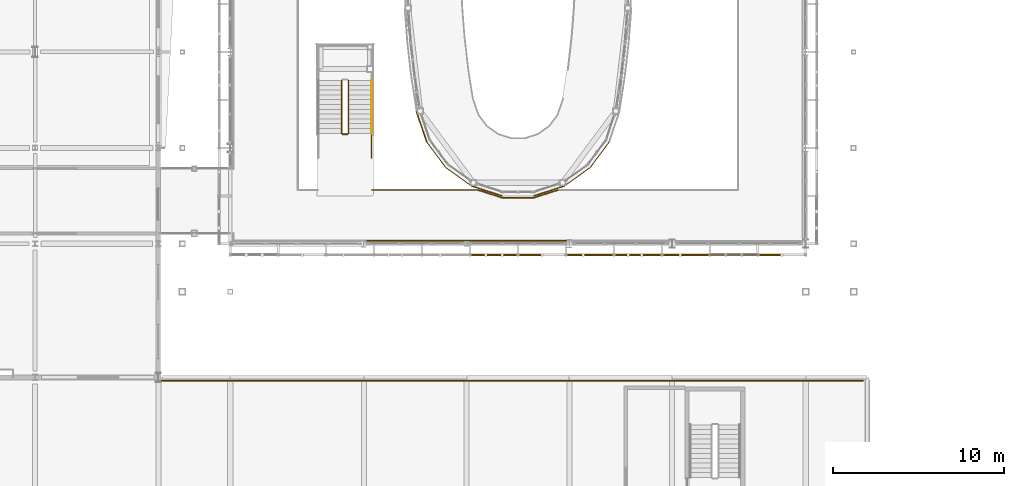
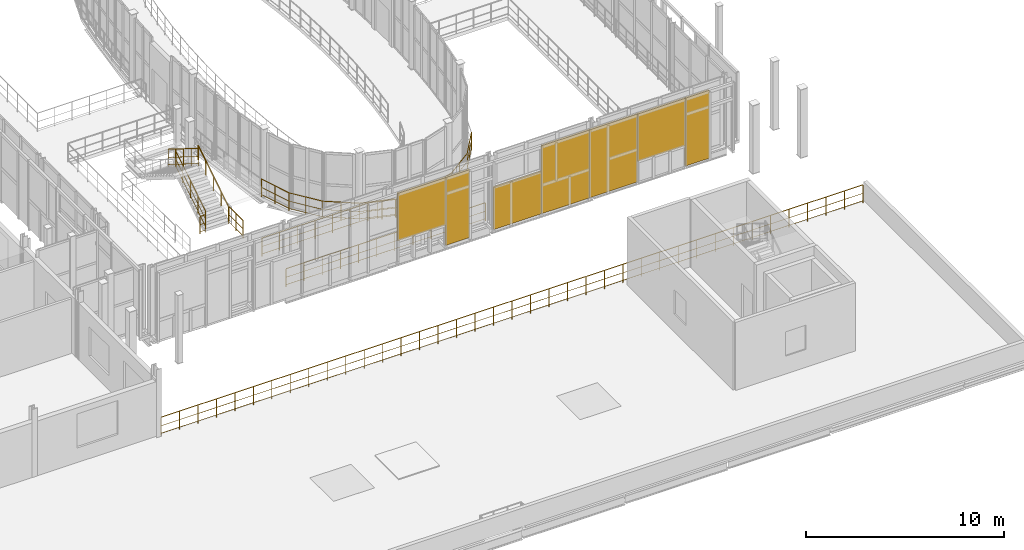
# One storey, part 130 of 138: 15 railings, 7 shading devices.
"""IFC4 building model written with IfcOpenShell, lengths in metres."""

from ifc_helpers import new_model, si_unit, direction, frame, origin, origin_2d, place, context, subcontext, project, spatial, rectangle, circle, extrude, material, type_object, element, save


model = new_model("IFC4")

# Units and contexts
model_context = context("Model", 3, precision=1e-05, world=origin(), true_north=direction((0.0, 1.0)))
body_context = subcontext(model_context, "Body", "Model", "MODEL_VIEW")
ifc_project = project(units=[si_unit("LENGTHUNIT", "METRE"), si_unit("AREAUNIT", "SQUARE_METRE"), si_unit("VOLUMEUNIT", "CUBIC_METRE"), si_unit("PLANEANGLEUNIT", "RADIAN"), si_unit("MASSUNIT", "GRAM", prefix="KILO")], contexts=[model_context])

# Site, building, storey
site_placement = place(None, origin())
site = spatial("IfcSite", under=ifc_project, at=site_placement, CompositionType="ELEMENT")
building_placement = place(site_placement, origin())
building = spatial("IfcBuilding", under=site, at=building_placement, Name="Vinh Khe Railworks Police Headquarters", CompositionType="ELEMENT")
storey_placement = place(building_placement, frame((0.0, 0.0, 9.0)))
storey = spatial("IfcBuildingStorey", under=building, at=storey_placement, Name="L02", CompositionType="ELEMENT", Elevation=9.0)

# Railings
ifc_material_1 = material(Name="Dark steel and laminated safety glass", Category="steel")
railing_type_1 = type_object("IfcRailingType", Name="RL-ATRIUM-1150", PredefinedType="BALUSTRADE", material=ifc_material_1)
railing_1_placement = place(storey_placement, frame((33.300048828125, 31.64990234375, 0.175048828125)))
element("IfcRailing", 1, at=railing_1_placement, inside=storey, type_object=railing_type_1, Name="L02 ST-08 stair guard 1", PredefinedType="BALUSTRADE", context=body_context, shape_type="SweptSolid", body=[
    extrude(circle(Radius=0.02392578125, at=origin_2d()), frame((0.0, 0.0, 1.076171875), z_axis=(0.0, 0.847998304005, 0.529998940003), x_axis=(-1.0, 0.0, 0.0)), (0.0, 0.0, 1.0), 3.632080078125),
    extrude(circle(Radius=0.01416015625, at=origin_2d()), frame((0.0, 0.0, 0.132080078125), z_axis=(0.0, 0.847998304005, 0.529998940003), x_axis=(-1.0, 0.0, 0.0)), (0.0, 0.0, 1.0), 3.632080078125),
    extrude(circle(Radius=0.01416015625, at=origin_2d()), frame((0.0, 0.0, 0.572021484375), z_axis=(0.0, 0.847998304005, 0.529998940003), x_axis=(-1.0, 0.0, 0.0)), (0.0, 0.0, 1.0), 3.632080078125),
    extrude(circle(Radius=0.02099609375, at=origin_2d()), origin(), (0.0, 0.0, 1.0), 1.052001953125),
    extrude(circle(Radius=0.02099609375, at=origin_2d()), frame((0.0, 0.77001953125, 0.481201171875)), (0.0, 0.0, 1.0), 1.052001953125),
    extrude(circle(Radius=0.02099609375, at=origin_2d()), frame((0.0, 1.5400390625, 0.96240234375)), (0.0, 0.0, 1.0), 1.052001953125),
    extrude(circle(Radius=0.02099609375, at=origin_2d()), frame((0.0, 2.31005859375, 1.44384765625)), (0.0, 0.0, 1.0), 1.052001953125),
    extrude(circle(Radius=0.02099609375, at=origin_2d()), frame((0.0, 3.080078125, 1.925048828125)), (0.0, 0.0, 1.0), 1.052001953125),
])
railing_2_placement = place(storey_placement, frame((32.89990234375, 34.72998046875, 2.27490234375)))
element("IfcRailing", 2, at=railing_2_placement, inside=storey, type_object=railing_type_1, Name="L02 ST-08 stair guard 6", PredefinedType="BALUSTRADE", context=body_context, shape_type="SweptSolid", body=[
    extrude(circle(Radius=0.02392578125, at=origin_2d()), frame((0.0, 0.0, 1.076171875), z_axis=(0.0, -0.847998304005, 0.529998940003), x_axis=(1.0, 0.0, 0.0)), (0.0, 0.0, 1.0), 3.632080078125),
    extrude(circle(Radius=0.01416015625, at=origin_2d()), frame((0.0, 0.0, 0.132080078125), z_axis=(0.0, -0.847998304005, 0.529998940003), x_axis=(1.0, 0.0, 0.0)), (0.0, 0.0, 1.0), 3.632080078125),
    extrude(circle(Radius=0.01416015625, at=origin_2d()), frame((0.0, 0.0, 0.572021484375), z_axis=(0.0, -0.847998304005, 0.529998940003), x_axis=(1.0, 0.0, 0.0)), (0.0, 0.0, 1.0), 3.632080078125),
    extrude(circle(Radius=0.02099609375, at=origin_2d()), origin(), (0.0, 0.0, 1.0), 1.052001953125),
    extrude(circle(Radius=0.02099609375, at=origin_2d()), frame((0.0, -0.77001953125, 0.481201171875)), (0.0, 0.0, 1.0), 1.052001953125),
    extrude(circle(Radius=0.02099609375, at=origin_2d()), frame((0.0, -1.5400390625, 0.96240234375)), (0.0, 0.0, 1.0), 1.052001953125),
    extrude(circle(Radius=0.02099609375, at=origin_2d()), frame((0.0, -2.31005859375, 1.44384765625)), (0.0, 0.0, 1.0), 1.052001953125),
    extrude(circle(Radius=0.02099609375, at=origin_2d()), frame((0.0, -3.080078125, 1.925048828125)), (0.0, 0.0, 1.0), 1.052001953125),
])
railing_3_placement = place(storey_placement, frame((33.25, 31.60009765625, 0.0)))
element("IfcRailing", 3, at=railing_3_placement, inside=storey, type_object=railing_type_1, Name="L02 ST-08 stair guard 7", PredefinedType="BALUSTRADE", context=body_context, shape_type="SweptSolid", body=[
    extrude(circle(Radius=0.02392578125, at=origin_2d()), frame((0.0, 0.0, 1.076171875), z_axis=(-1.0, 0.0, 0.0), x_axis=(0.0, -1.0, 0.0)), (0.0, 0.0, 1.0), 0.300048828125),
    extrude(circle(Radius=0.01416015625, at=origin_2d()), frame((0.0, 0.0, 0.132080078125), z_axis=(-1.0, 0.0, 0.0), x_axis=(0.0, -1.0, 0.0)), (0.0, 0.0, 1.0), 0.300048828125),
    extrude(circle(Radius=0.01416015625, at=origin_2d()), frame((0.0, 0.0, 0.572021484375), z_axis=(-1.0, 0.0, 0.0), x_axis=(0.0, -1.0, 0.0)), (0.0, 0.0, 1.0), 0.300048828125),
    extrude(circle(Radius=0.02099609375, at=origin_2d()), origin(), (0.0, 0.0, 1.0), 1.052001953125),
    extrude(circle(Radius=0.02099609375, at=origin_2d()), frame((-0.300048828125, 0.0, 0.0)), (0.0, 0.0, 1.0), 1.052001953125),
])
railing_4_placement = place(storey_placement, frame((34.64990234375, 30.199951171875, 0.0)))
element("IfcRailing", 4, at=railing_4_placement, inside=storey, type_object=railing_type_1, Name="L02 ST-08 stair guard 8", PredefinedType="BALUSTRADE", context=body_context, shape_type="SweptSolid", body=[
    extrude(circle(Radius=0.02392578125, at=origin_2d()), frame((0.0, 0.0, 1.076171875), z_axis=(0.0, 1.0, 0.0), x_axis=(-1.0, 0.0, 0.0)), (0.0, 0.0, 1.0), 1.449951171875),
    extrude(circle(Radius=0.01416015625, at=origin_2d()), frame((0.0, 0.0, 0.132080078125), z_axis=(0.0, 1.0, 0.0), x_axis=(-1.0, 0.0, 0.0)), (0.0, 0.0, 1.0), 1.449951171875),
    extrude(circle(Radius=0.01416015625, at=origin_2d()), frame((0.0, 0.0, 0.572021484375), z_axis=(0.0, 1.0, 0.0), x_axis=(-1.0, 0.0, 0.0)), (0.0, 0.0, 1.0), 1.449951171875),
    extrude(circle(Radius=0.02099609375, at=origin_2d()), origin(), (0.0, 0.0, 1.0), 1.052001953125),
    extrude(circle(Radius=0.02099609375, at=origin_2d()), frame((0.0, 0.72509765625, 0.0)), (0.0, 0.0, 1.0), 1.052001953125),
    extrude(circle(Radius=0.02099609375, at=origin_2d()), frame((0.0, 1.449951171875, 0.0)), (0.0, 0.0, 1.0), 1.052001953125),
])
railing_5_placement = place(storey_placement, frame((45.53564453125, 28.340087890625, 0.0)))
element("IfcRailing", 5, at=railing_5_placement, inside=storey, type_object=railing_type_1, Name="Atrium Balustrade GR-V1HOLE-L02-1-01", PredefinedType="BALUSTRADE", context=body_context, shape_type="SweptSolid", body=[
    extrude(circle(Radius=0.02392578125, at=origin_2d()), frame((0.0, 0.0, 1.1259765625), z_axis=(-0.952124322128, -0.305711097627, 0.0), x_axis=(0.305711097627, -0.952124322128, 0.0)), (0.0, 0.0, 1.0), 1.458251953125),
    extrude(circle(Radius=0.01416015625, at=origin_2d()), frame((0.0, 0.0, 0.137939453125), z_axis=(-0.952124322128, -0.305711097627, 0.0), x_axis=(0.305711097627, -0.952124322128, 0.0)), (0.0, 0.0, 1.0), 1.458251953125),
    extrude(circle(Radius=0.01416015625, at=origin_2d()), frame((0.0, 0.0, 0.597900390625), z_axis=(-0.952124322128, -0.305711097627, 0.0), x_axis=(0.305711097627, -0.952124322128, 0.0)), (0.0, 0.0, 1.0), 1.458251953125),
    extrude(circle(Radius=0.02392578125, at=origin_2d()), frame((-1.388427734375, -0.44580078125, 1.1259765625), z_axis=(-1.0, 0.0, 0.0), x_axis=(0.0, -1.0, 0.0)), (0.0, 0.0, 1.0), 1.894287109375),
    extrude(circle(Radius=0.01416015625, at=origin_2d()), frame((-1.388427734375, -0.44580078125, 0.137939453125), z_axis=(-1.0, 0.0, 0.0), x_axis=(0.0, -1.0, 0.0)), (0.0, 0.0, 1.0), 1.894287109375),
    extrude(circle(Radius=0.01416015625, at=origin_2d()), frame((-1.388427734375, -0.44580078125, 0.597900390625), z_axis=(-1.0, 0.0, 0.0), x_axis=(0.0, -1.0, 0.0)), (0.0, 0.0, 1.0), 1.894287109375),
    extrude(circle(Radius=0.02392578125, at=origin_2d()), frame((-3.28271484375, -0.44580078125, 1.1259765625), z_axis=(-0.952139965451, 0.305662372875, 0.0), x_axis=(-0.305662372875, -0.952139965451, 0.0)), (0.0, 0.0, 1.0), 1.45849609375),
    extrude(circle(Radius=0.01416015625, at=origin_2d()), frame((-3.28271484375, -0.44580078125, 0.137939453125), z_axis=(-0.952139965451, 0.305662372875, 0.0), x_axis=(-0.305662372875, -0.952139965451, 0.0)), (0.0, 0.0, 1.0), 1.45849609375),
    extrude(circle(Radius=0.01416015625, at=origin_2d()), frame((-3.28271484375, -0.44580078125, 0.597900390625), z_axis=(-0.952139965451, 0.305662372875, 0.0), x_axis=(-0.305662372875, -0.952139965451, 0.0)), (0.0, 0.0, 1.0), 1.45849609375),
    extrude(circle(Radius=0.02392578125, at=origin_2d()), frame((-4.67138671875, 0.0, 1.1259765625), z_axis=(-1.0, 0.0, 0.0), x_axis=(0.0, -1.0, 0.0)), (0.0, 0.0, 1.0), 6.184326171875),
    extrude(circle(Radius=0.01416015625, at=origin_2d()), frame((-4.67138671875, 0.0, 0.137939453125), z_axis=(-1.0, 0.0, 0.0), x_axis=(0.0, -1.0, 0.0)), (0.0, 0.0, 1.0), 6.184326171875),
    extrude(circle(Radius=0.01416015625, at=origin_2d()), frame((-4.67138671875, 0.0, 0.597900390625), z_axis=(-1.0, 0.0, 0.0), x_axis=(0.0, -1.0, 0.0)), (0.0, 0.0, 1.0), 6.184326171875),
    extrude(circle(Radius=0.02099609375, at=origin_2d()), origin(), (0.0, 0.0, 1.0), 1.101806640625),
    extrude(circle(Radius=0.02099609375, at=origin_2d()), frame((-0.6943359375, -0.222900390625, 0.0)), (0.0, 0.0, 1.0), 1.101806640625),
    extrude(circle(Radius=0.02099609375, at=origin_2d()), frame((-1.388427734375, -0.44580078125, 0.0)), (0.0, 0.0, 1.0), 1.101806640625),
    extrude(circle(Radius=0.02099609375, at=origin_2d()), frame((-2.33544921875, -0.44580078125, 0.0)), (0.0, 0.0, 1.0), 1.101806640625),
    extrude(circle(Radius=0.02099609375, at=origin_2d()), frame((-3.28271484375, -0.44580078125, 0.0)), (0.0, 0.0, 1.0), 1.101806640625),
    extrude(circle(Radius=0.02099609375, at=origin_2d()), frame((-3.97705078125, -0.222900390625, 0.0)), (0.0, 0.0, 1.0), 1.101806640625),
    extrude(circle(Radius=0.02099609375, at=origin_2d()), frame((-4.67138671875, 0.0, 0.0)), (0.0, 0.0, 1.0), 1.101806640625),
    extrude(circle(Radius=0.02099609375, at=origin_2d()), frame((-5.7021484375, 0.0, 0.0)), (0.0, 0.0, 1.0), 1.101806640625),
    extrude(circle(Radius=0.02099609375, at=origin_2d()), frame((-6.73291015625, 0.0, 0.0)), (0.0, 0.0, 1.0), 1.101806640625),
    extrude(circle(Radius=0.02099609375, at=origin_2d()), frame((-7.763671875, 0.0, 0.0)), (0.0, 0.0, 1.0), 1.101806640625),
    extrude(circle(Radius=0.02099609375, at=origin_2d()), frame((-8.794189453125, 0.0, 0.0)), (0.0, 0.0, 1.0), 1.101806640625),
    extrude(circle(Radius=0.02099609375, at=origin_2d()), frame((-9.824951171875, 0.0, 0.0)), (0.0, 0.0, 1.0), 1.101806640625),
    extrude(circle(Radius=0.02099609375, at=origin_2d()), frame((-10.855712890625, 0.0, 0.0)), (0.0, 0.0, 1.0), 1.101806640625),
])
railing_6_placement = place(storey_placement, frame((34.375, 25.3798828125, 0.0)))
element("IfcRailing", 6, at=railing_6_placement, inside=storey, type_object=railing_type_1, Name="Atrium Balustrade GR-V1PERIM-L02-02", PredefinedType="BALUSTRADE", context=body_context, shape_type="SweptSolid", body=[
    extrude(circle(Radius=0.02392578125, at=origin_2d()), frame((0.0, 0.0, 1.1259765625), z_axis=(1.0, 0.0, 0.0), x_axis=(0.0, 1.0, 0.0)), (0.0, 0.0, 1.0), 11.64990234375),
    extrude(circle(Radius=0.01416015625, at=origin_2d()), frame((0.0, 0.0, 0.137939453125), z_axis=(1.0, 0.0, 0.0), x_axis=(0.0, 1.0, 0.0)), (0.0, 0.0, 1.0), 11.64990234375),
    extrude(circle(Radius=0.01416015625, at=origin_2d()), frame((0.0, 0.0, 0.597900390625), z_axis=(1.0, 0.0, 0.0), x_axis=(0.0, 1.0, 0.0)), (0.0, 0.0, 1.0), 11.64990234375),
    extrude(circle(Radius=0.02099609375, at=origin_2d()), origin(), (0.0, 0.0, 1.0), 1.101806640625),
    extrude(circle(Radius=0.02099609375, at=origin_2d()), frame((1.05908203125, 0.0, 0.0)), (0.0, 0.0, 1.0), 1.101806640625),
    extrude(circle(Radius=0.02099609375, at=origin_2d()), frame((2.1181640625, 0.0, 0.0)), (0.0, 0.0, 1.0), 1.101806640625),
    extrude(circle(Radius=0.02099609375, at=origin_2d()), frame((3.17724609375, 0.0, 0.0)), (0.0, 0.0, 1.0), 1.101806640625),
    extrude(circle(Radius=0.02099609375, at=origin_2d()), frame((4.236328125, 0.0, 0.0)), (0.0, 0.0, 1.0), 1.101806640625),
    extrude(circle(Radius=0.02099609375, at=origin_2d()), frame((5.29541015625, 0.0, 0.0)), (0.0, 0.0, 1.0), 1.101806640625),
    extrude(circle(Radius=0.02099609375, at=origin_2d()), frame((6.3544921875, 0.0, 0.0)), (0.0, 0.0, 1.0), 1.101806640625),
    extrude(circle(Radius=0.02099609375, at=origin_2d()), frame((7.41357421875, 0.0, 0.0)), (0.0, 0.0, 1.0), 1.101806640625),
    extrude(circle(Radius=0.02099609375, at=origin_2d()), frame((8.47265625, 0.0, 0.0)), (0.0, 0.0, 1.0), 1.101806640625),
    extrude(circle(Radius=0.02099609375, at=origin_2d()), frame((9.53173828125, 0.0, 0.0)), (0.0, 0.0, 1.0), 1.101806640625),
    extrude(circle(Radius=0.02099609375, at=origin_2d()), frame((10.5908203125, 0.0, 0.0)), (0.0, 0.0, 1.0), 1.101806640625),
    extrude(circle(Radius=0.02099609375, at=origin_2d()), frame((11.64990234375, 0.0, 0.0)), (0.0, 0.0, 1.0), 1.101806640625),
])
railing_7_placement = place(storey_placement, frame((22.35009765625, 17.199951171875, 0.0)))
element("IfcRailing", 7, at=railing_7_placement, inside=storey, type_object=railing_type_1, Name="Atrium and Terrace Guard Balustrade GR-V4-L02-TERR", PredefinedType="BALUSTRADE", context=body_context, shape_type="SweptSolid", body=[
    extrude(circle(Radius=0.02392578125, at=origin_2d()), frame((0.0, 0.0, 1.1259765625), z_axis=(1.0, 0.0, 0.0), x_axis=(0.0, 1.0, 0.0)), (0.0, 0.0, 1.0), 41.0),
    extrude(circle(Radius=0.01416015625, at=origin_2d()), frame((0.0, 0.0, 0.137939453125), z_axis=(1.0, 0.0, 0.0), x_axis=(0.0, 1.0, 0.0)), (0.0, 0.0, 1.0), 41.0),
    extrude(circle(Radius=0.01416015625, at=origin_2d()), frame((0.0, 0.0, 0.597900390625), z_axis=(1.0, 0.0, 0.0), x_axis=(0.0, 1.0, 0.0)), (0.0, 0.0, 1.0), 41.0),
    extrude(circle(Radius=0.02099609375, at=origin_2d()), origin(), (0.0, 0.0, 1.0), 1.101806640625),
    extrude(circle(Radius=0.02099609375, at=origin_2d()), frame((1.078857421875, 0.0, 0.0)), (0.0, 0.0, 1.0), 1.101806640625),
    extrude(circle(Radius=0.02099609375, at=origin_2d()), frame((2.157958984375, 0.0, 0.0)), (0.0, 0.0, 1.0), 1.101806640625),
    extrude(circle(Radius=0.02099609375, at=origin_2d()), frame((3.23681640625, 0.0, 0.0)), (0.0, 0.0, 1.0), 1.101806640625),
    extrude(circle(Radius=0.02099609375, at=origin_2d()), frame((4.315673828125, 0.0, 0.0)), (0.0, 0.0, 1.0), 1.101806640625),
    extrude(circle(Radius=0.02099609375, at=origin_2d()), frame((5.394775390625, 0.0, 0.0)), (0.0, 0.0, 1.0), 1.101806640625),
    extrude(circle(Radius=0.02099609375, at=origin_2d()), frame((6.4736328125, 0.0, 0.0)), (0.0, 0.0, 1.0), 1.101806640625),
    extrude(circle(Radius=0.02099609375, at=origin_2d()), frame((7.552734375, 0.0, 0.0)), (0.0, 0.0, 1.0), 1.101806640625),
    extrude(circle(Radius=0.02099609375, at=origin_2d()), frame((8.631591796875, 0.0, 0.0)), (0.0, 0.0, 1.0), 1.101806640625),
    extrude(circle(Radius=0.02099609375, at=origin_2d()), frame((9.71044921875, 0.0, 0.0)), (0.0, 0.0, 1.0), 1.101806640625),
    extrude(circle(Radius=0.02099609375, at=origin_2d()), frame((10.78955078125, 0.0, 0.0)), (0.0, 0.0, 1.0), 1.101806640625),
    extrude(circle(Radius=0.02099609375, at=origin_2d()), frame((11.868408203125, 0.0, 0.0)), (0.0, 0.0, 1.0), 1.101806640625),
    extrude(circle(Radius=0.02099609375, at=origin_2d()), frame((12.947265625, 0.0, 0.0)), (0.0, 0.0, 1.0), 1.101806640625),
    extrude(circle(Radius=0.02099609375, at=origin_2d()), frame((14.0263671875, 0.0, 0.0)), (0.0, 0.0, 1.0), 1.101806640625),
    extrude(circle(Radius=0.02099609375, at=origin_2d()), frame((15.105224609375, 0.0, 0.0)), (0.0, 0.0, 1.0), 1.101806640625),
    extrude(circle(Radius=0.02099609375, at=origin_2d()), frame((16.184326171875, 0.0, 0.0)), (0.0, 0.0, 1.0), 1.101806640625),
    extrude(circle(Radius=0.02099609375, at=origin_2d()), frame((17.26318359375, 0.0, 0.0)), (0.0, 0.0, 1.0), 1.101806640625),
    extrude(circle(Radius=0.02099609375, at=origin_2d()), frame((18.342041015625, 0.0, 0.0)), (0.0, 0.0, 1.0), 1.101806640625),
    extrude(circle(Radius=0.02099609375, at=origin_2d()), frame((19.421142578125, 0.0, 0.0)), (0.0, 0.0, 1.0), 1.101806640625),
    extrude(circle(Radius=0.02099609375, at=origin_2d()), frame((20.5, 0.0, 0.0)), (0.0, 0.0, 1.0), 1.101806640625),
    extrude(circle(Radius=0.02099609375, at=origin_2d()), frame((21.578857421875, 0.0, 0.0)), (0.0, 0.0, 1.0), 1.101806640625),
    extrude(circle(Radius=0.02099609375, at=origin_2d()), frame((22.657958984375, 0.0, 0.0)), (0.0, 0.0, 1.0), 1.101806640625),
    extrude(circle(Radius=0.02099609375, at=origin_2d()), frame((23.73681640625, 0.0, 0.0)), (0.0, 0.0, 1.0), 1.101806640625),
    extrude(circle(Radius=0.02099609375, at=origin_2d()), frame((24.815673828125, 0.0, 0.0)), (0.0, 0.0, 1.0), 1.101806640625),
    extrude(circle(Radius=0.02099609375, at=origin_2d()), frame((25.894775390625, 0.0, 0.0)), (0.0, 0.0, 1.0), 1.101806640625),
    extrude(circle(Radius=0.02099609375, at=origin_2d()), frame((26.9736328125, 0.0, 0.0)), (0.0, 0.0, 1.0), 1.101806640625),
    extrude(circle(Radius=0.02099609375, at=origin_2d()), frame((28.052734375, 0.0, 0.0)), (0.0, 0.0, 1.0), 1.101806640625),
    extrude(circle(Radius=0.02099609375, at=origin_2d()), frame((29.131591796875, 0.0, 0.0)), (0.0, 0.0, 1.0), 1.101806640625),
    extrude(circle(Radius=0.02099609375, at=origin_2d()), frame((30.21044921875, 0.0, 0.0)), (0.0, 0.0, 1.0), 1.101806640625),
    extrude(circle(Radius=0.02099609375, at=origin_2d()), frame((31.28955078125, 0.0, 0.0)), (0.0, 0.0, 1.0), 1.101806640625),
    extrude(circle(Radius=0.02099609375, at=origin_2d()), frame((32.368408203125, 0.0, 0.0)), (0.0, 0.0, 1.0), 1.101806640625),
    extrude(circle(Radius=0.02099609375, at=origin_2d()), frame((33.447265625, 0.0, 0.0)), (0.0, 0.0, 1.0), 1.101806640625),
    extrude(circle(Radius=0.02099609375, at=origin_2d()), frame((34.5263671875, 0.0, 0.0)), (0.0, 0.0, 1.0), 1.101806640625),
    extrude(circle(Radius=0.02099609375, at=origin_2d()), frame((35.605224609375, 0.0, 0.0)), (0.0, 0.0, 1.0), 1.101806640625),
    extrude(circle(Radius=0.02099609375, at=origin_2d()), frame((36.684326171875, 0.0, 0.0)), (0.0, 0.0, 1.0), 1.101806640625),
    extrude(circle(Radius=0.02099609375, at=origin_2d()), frame((37.76318359375, 0.0, 0.0)), (0.0, 0.0, 1.0), 1.101806640625),
    extrude(circle(Radius=0.02099609375, at=origin_2d()), frame((38.842041015625, 0.0, 0.0)), (0.0, 0.0, 1.0), 1.101806640625),
    extrude(circle(Radius=0.02099609375, at=origin_2d()), frame((39.921142578125, 0.0, 0.0)), (0.0, 0.0, 1.0), 1.101806640625),
    extrude(circle(Radius=0.02099609375, at=origin_2d()), frame((41.0, 0.0, 0.0)), (0.0, 0.0, 1.0), 1.101806640625),
])
ifc_material_2 = material(Name="Painted tubular steel", Category="steel")
railing_type_2 = type_object("IfcRailingType", Name="RL-GUARD-1100", PredefinedType="GUARDRAIL", material=ifc_material_2)
railing_8_placement = place(storey_placement, frame((37.2724609375, 32.891357421875, 0.0)))
element("IfcRailing", 8, at=railing_8_placement, inside=storey, type_object=railing_type_2, Name="Slab Corner Notch Guard L02-76", PredefinedType="GUARDRAIL", context=body_context, shape_type="SweptSolid", body=[
    extrude(circle(Radius=0.02392578125, at=origin_2d()), frame((0.0, 0.0, 1.09619140625), z_axis=(0.322800371267, -0.946467073019, 0.0), x_axis=(0.946467073019, 0.322800371267, 0.0)), (0.0, 0.0, 1.0), 1.84765625),
    extrude(circle(Radius=0.01416015625, at=origin_2d()), frame((0.0, 0.0, 0.134521484375), z_axis=(0.322800371267, -0.946467073019, 0.0), x_axis=(0.946467073019, 0.322800371267, 0.0)), (0.0, 0.0, 1.0), 1.84765625),
    extrude(circle(Radius=0.01416015625, at=origin_2d()), frame((0.0, 0.0, 0.58251953125), z_axis=(0.322800371267, -0.946467073019, 0.0), x_axis=(0.946467073019, 0.322800371267, 0.0)), (0.0, 0.0, 1.0), 1.84765625),
    extrude(circle(Radius=0.02099609375, at=origin_2d()), origin(), (0.0, 0.0, 1.0), 1.072021484375),
    extrude(circle(Radius=0.02099609375, at=origin_2d()), frame((0.29833984375, -0.87451171875, 0.0)), (0.0, 0.0, 1.0), 1.072021484375),
    extrude(circle(Radius=0.02099609375, at=origin_2d()), frame((0.596435546875, -1.748779296875, 0.0)), (0.0, 0.0, 1.0), 1.072021484375),
])
railing_9_placement = place(storey_placement, frame((37.868896484375, 31.142578125, 0.0)))
element("IfcRailing", 9, at=railing_9_placement, inside=storey, type_object=railing_type_2, Name="Slab Corner Notch Guard L02-77", PredefinedType="GUARDRAIL", context=body_context, shape_type="SweptSolid", body=[
    extrude(circle(Radius=0.02392578125, at=origin_2d()), frame((0.0, 0.0, 1.09619140625), z_axis=(0.596471188122, -0.802634488257, 0.0), x_axis=(0.802634488257, 0.596471188122, 0.0)), (0.0, 0.0, 1.0), 1.86279296875),
    extrude(circle(Radius=0.01416015625, at=origin_2d()), frame((0.0, 0.0, 0.134521484375), z_axis=(0.596471188122, -0.802634488257, 0.0), x_axis=(0.802634488257, 0.596471188122, 0.0)), (0.0, 0.0, 1.0), 1.86279296875),
    extrude(circle(Radius=0.01416015625, at=origin_2d()), frame((0.0, 0.0, 0.58251953125), z_axis=(0.596471188122, -0.802634488257, 0.0), x_axis=(0.802634488257, 0.596471188122, 0.0)), (0.0, 0.0, 1.0), 1.86279296875),
    extrude(circle(Radius=0.02099609375, at=origin_2d()), origin(), (0.0, 0.0, 1.0), 1.072021484375),
    extrude(circle(Radius=0.02099609375, at=origin_2d()), frame((0.5556640625, -0.74755859375, 0.0)), (0.0, 0.0, 1.0), 1.072021484375),
    extrude(circle(Radius=0.02099609375, at=origin_2d()), frame((1.111083984375, -1.4951171875, 0.0)), (0.0, 0.0, 1.0), 1.072021484375),
])
railing_10_placement = place(storey_placement, frame((38.97998046875, 29.6474609375, 0.0)))
element("IfcRailing", 10, at=railing_10_placement, inside=storey, type_object=railing_type_2, Name="Slab Corner Notch Guard L02-78", PredefinedType="GUARDRAIL", context=body_context, shape_type="SweptSolid", body=[
    extrude(circle(Radius=0.02392578125, at=origin_2d()), frame((0.0, 0.0, 1.09619140625), z_axis=(0.813308151852, -0.581833180672, 0.0), x_axis=(0.581833180672, 0.813308151852, 0.0)), (0.0, 0.0, 1.0), 1.862548828125),
    extrude(circle(Radius=0.01416015625, at=origin_2d()), frame((0.0, 0.0, 0.134521484375), z_axis=(0.813308151852, -0.581833180672, 0.0), x_axis=(0.581833180672, 0.813308151852, 0.0)), (0.0, 0.0, 1.0), 1.862548828125),
    extrude(circle(Radius=0.01416015625, at=origin_2d()), frame((0.0, 0.0, 0.58251953125), z_axis=(0.813308151852, -0.581833180672, 0.0), x_axis=(0.581833180672, 0.813308151852, 0.0)), (0.0, 0.0, 1.0), 1.862548828125),
    extrude(circle(Radius=0.02099609375, at=origin_2d()), origin(), (0.0, 0.0, 1.0), 1.072021484375),
    extrude(circle(Radius=0.02099609375, at=origin_2d()), frame((0.75732421875, -0.5419921875, 0.0)), (0.0, 0.0, 1.0), 1.072021484375),
    extrude(circle(Radius=0.02099609375, at=origin_2d()), frame((1.514892578125, -1.083740234375, 0.0)), (0.0, 0.0, 1.0), 1.072021484375),
])
railing_11_placement = place(storey_placement, frame((40.494873046875, 28.563720703125, 0.0)))
element("IfcRailing", 11, at=railing_11_placement, inside=storey, type_object=railing_type_2, Name="Slab Corner Notch Guard L02-79", PredefinedType="GUARDRAIL", context=body_context, shape_type="SweptSolid", body=[
    extrude(circle(Radius=0.02392578125, at=origin_2d()), frame((0.0, 0.0, 1.09619140625), z_axis=(0.952149849354, -0.305631582752, 0.0), x_axis=(0.305631582752, 0.952149849354, 0.0)), (0.0, 0.0, 1.0), 1.86279296875),
    extrude(circle(Radius=0.01416015625, at=origin_2d()), frame((0.0, 0.0, 0.134521484375), z_axis=(0.952149849354, -0.305631582752, 0.0), x_axis=(0.305631582752, 0.952149849354, 0.0)), (0.0, 0.0, 1.0), 1.86279296875),
    extrude(circle(Radius=0.01416015625, at=origin_2d()), frame((0.0, 0.0, 0.58251953125), z_axis=(0.952149849354, -0.305631582752, 0.0), x_axis=(0.305631582752, 0.952149849354, 0.0)), (0.0, 0.0, 1.0), 1.86279296875),
    extrude(circle(Radius=0.02099609375, at=origin_2d()), origin(), (0.0, 0.0, 1.0), 1.072021484375),
    extrude(circle(Radius=0.02099609375, at=origin_2d()), frame((0.88671875, -0.28466796875, 0.0)), (0.0, 0.0, 1.0), 1.072021484375),
    extrude(circle(Radius=0.02099609375, at=origin_2d()), frame((1.773681640625, -0.5693359375, 0.0)), (0.0, 0.0, 1.0), 1.072021484375),
])
railing_12_placement = place(storey_placement, frame((44.13134765625, 27.994384765625, 0.0)))
element("IfcRailing", 12, at=railing_12_placement, inside=storey, type_object=railing_type_2, Name="Slab Corner Notch Guard L02-80", PredefinedType="GUARDRAIL", context=body_context, shape_type="SweptSolid", body=[
    extrude(circle(Radius=0.02392578125, at=origin_2d()), frame((0.0, 0.0, 1.09619140625), z_axis=(0.952149849354, 0.305631582752, 0.0), x_axis=(-0.305631582752, 0.952149849354, 0.0)), (0.0, 0.0, 1.0), 1.86279296875),
    extrude(circle(Radius=0.01416015625, at=origin_2d()), frame((0.0, 0.0, 0.134521484375), z_axis=(0.952149849354, 0.305631582752, 0.0), x_axis=(-0.305631582752, 0.952149849354, 0.0)), (0.0, 0.0, 1.0), 1.86279296875),
    extrude(circle(Radius=0.01416015625, at=origin_2d()), frame((0.0, 0.0, 0.58251953125), z_axis=(0.952149849354, 0.305631582752, 0.0), x_axis=(-0.305631582752, 0.952149849354, 0.0)), (0.0, 0.0, 1.0), 1.86279296875),
    extrude(circle(Radius=0.02099609375, at=origin_2d()), origin(), (0.0, 0.0, 1.0), 1.072021484375),
    extrude(circle(Radius=0.02099609375, at=origin_2d()), frame((0.88671875, 0.28466796875, 0.0)), (0.0, 0.0, 1.0), 1.072021484375),
    extrude(circle(Radius=0.02099609375, at=origin_2d()), frame((1.773681640625, 0.5693359375, 0.0)), (0.0, 0.0, 1.0), 1.072021484375),
])
railing_13_placement = place(storey_placement, frame((45.905029296875, 28.563720703125, 0.0)))
element("IfcRailing", 13, at=railing_13_placement, inside=storey, type_object=railing_type_2, Name="Slab Corner Notch Guard L02-81", PredefinedType="GUARDRAIL", context=body_context, shape_type="SweptSolid", body=[
    extrude(circle(Radius=0.02392578125, at=origin_2d()), frame((0.0, 0.0, 1.09619140625), z_axis=(0.813308151852, 0.581833180672, 0.0), x_axis=(-0.581833180672, 0.813308151852, 0.0)), (0.0, 0.0, 1.0), 1.862548828125),
    extrude(circle(Radius=0.01416015625, at=origin_2d()), frame((0.0, 0.0, 0.134521484375), z_axis=(0.813308151852, 0.581833180672, 0.0), x_axis=(-0.581833180672, 0.813308151852, 0.0)), (0.0, 0.0, 1.0), 1.862548828125),
    extrude(circle(Radius=0.01416015625, at=origin_2d()), frame((0.0, 0.0, 0.58251953125), z_axis=(0.813308151852, 0.581833180672, 0.0), x_axis=(-0.581833180672, 0.813308151852, 0.0)), (0.0, 0.0, 1.0), 1.862548828125),
    extrude(circle(Radius=0.02099609375, at=origin_2d()), origin(), (0.0, 0.0, 1.0), 1.072021484375),
    extrude(circle(Radius=0.02099609375, at=origin_2d()), frame((0.75732421875, 0.5419921875, 0.0)), (0.0, 0.0, 1.0), 1.072021484375),
    extrude(circle(Radius=0.02099609375, at=origin_2d()), frame((1.514892578125, 1.083740234375, 0.0)), (0.0, 0.0, 1.0), 1.072021484375),
])
railing_14_placement = place(storey_placement, frame((47.419921875, 29.6474609375, 0.0)))
element("IfcRailing", 14, at=railing_14_placement, inside=storey, type_object=railing_type_2, Name="Slab Corner Notch Guard L02-82", PredefinedType="GUARDRAIL", context=body_context, shape_type="SweptSolid", body=[
    extrude(circle(Radius=0.02392578125, at=origin_2d()), frame((0.0, 0.0, 1.09619140625), z_axis=(0.596555612397, 0.802571742162, 0.0), x_axis=(-0.802571742162, 0.596555612397, 0.0)), (0.0, 0.0, 1.0), 1.86279296875),
    extrude(circle(Radius=0.01416015625, at=origin_2d()), frame((0.0, 0.0, 0.134521484375), z_axis=(0.596555612397, 0.802571742162, 0.0), x_axis=(-0.802571742162, 0.596555612397, 0.0)), (0.0, 0.0, 1.0), 1.86279296875),
    extrude(circle(Radius=0.01416015625, at=origin_2d()), frame((0.0, 0.0, 0.58251953125), z_axis=(0.596555612397, 0.802571742162, 0.0), x_axis=(-0.802571742162, 0.596555612397, 0.0)), (0.0, 0.0, 1.0), 1.86279296875),
    extrude(circle(Radius=0.02099609375, at=origin_2d()), origin(), (0.0, 0.0, 1.0), 1.072021484375),
    extrude(circle(Radius=0.02099609375, at=origin_2d()), frame((0.5556640625, 0.74755859375, 0.0)), (0.0, 0.0, 1.0), 1.072021484375),
    extrude(circle(Radius=0.02099609375, at=origin_2d()), frame((1.111328125, 1.4951171875, 0.0)), (0.0, 0.0, 1.0), 1.072021484375),
])
ifc_material_3 = material(Name="Brushed stainless steel", Category="steel")
railing_type_3 = type_object("IfcRailingType", Name="RL-HAND-900", PredefinedType="HANDRAIL", material=ifc_material_3)
railing_15_placement = place(storey_placement, frame((34.64990234375, 31.64990234375, 0.175048828125)))
element("IfcRailing", 15, at=railing_15_placement, inside=storey, type_object=railing_type_3, Name="L02 ST-08 stair handrail 1", PredefinedType="HANDRAIL", context=body_context, shape_type="SweptSolid", body=[
    extrude(circle(Radius=0.02392578125, at=origin_2d()), frame((0.0, 0.0, 0.8759765625), z_axis=(0.0, 0.847998304005, 0.529998940003), x_axis=(-1.0, 0.0, 0.0)), (0.0, 0.0, 1.0), 3.632080078125),
    extrude(circle(Radius=0.02099609375, at=origin_2d()), origin(), (0.0, 0.0, 1.0), 0.851806640625),
    extrude(circle(Radius=0.02099609375, at=origin_2d()), frame((0.0, 0.77001953125, 0.481201171875)), (0.0, 0.0, 1.0), 0.851806640625),
    extrude(circle(Radius=0.02099609375, at=origin_2d()), frame((0.0, 1.5400390625, 0.96240234375)), (0.0, 0.0, 1.0), 0.851806640625),
    extrude(circle(Radius=0.02099609375, at=origin_2d()), frame((0.0, 2.31005859375, 1.44384765625)), (0.0, 0.0, 1.0), 0.851806640625),
    extrude(circle(Radius=0.02099609375, at=origin_2d()), frame((0.0, 3.080078125, 1.925048828125)), (0.0, 0.0, 1.0), 0.851806640625),
])

# Shading devices
ifc_material_4 = material(Name="Salvaged ironwood timber", Category="wood")
shading_device_type_1 = type_object("IfcShadingDeviceType", Name="SHD-QS-01", PredefinedType="JALOUSIE", material=ifc_material_4)
shading_device_1_placement = place(storey_placement, frame((41.800048828125, 24.550048828125, 1.260009765625), z_axis=(0.0, 0.0, 1.0), x_axis=(1.0, 0.0, 0.0)))
element("IfcShadingDevice", 16, at=shading_device_1_placement, inside=storey, type_object=shading_device_type_1, Name="Salvaged Ironwood Upper Quilt Frame S-6", PredefinedType="JALOUSIE", context=body_context, shape_type="SweptSolid", body=[
    extrude(rectangle(XDim=2.800048828125, YDim=0.090087890625, at=origin_2d()), origin(), (0.0, 0.0, 1.0), 2.93994140625),
])
shading_device_2_placement = place(storey_placement, frame((47.39990234375, 24.550048828125, 0.0), z_axis=(0.0, 0.0, 1.0), x_axis=(1.0, 0.0, 0.0)))
element("IfcShadingDevice", 17, at=shading_device_2_placement, inside=storey, type_object=shading_device_type_1, Name="Salvaged Ironwood Quilt Casement S-8", PredefinedType="JALOUSIE", context=body_context, shape_type="SweptSolid", body=[
    extrude(rectangle(XDim=2.800048828125, YDim=0.090087890625, at=origin_2d()), origin(), (0.0, 0.0, 1.0), 2.60400390625),
])
shading_device_3_placement = place(storey_placement, frame((55.800048828125, 24.550048828125, 1.260009765625), z_axis=(0.0, 0.0, 1.0), x_axis=(1.0, 0.0, 0.0)))
element("IfcShadingDevice", 18, at=shading_device_3_placement, inside=storey, type_object=shading_device_type_1, Name="Salvaged Ironwood Upper Quilt Frame S-11", PredefinedType="JALOUSIE", context=body_context, shape_type="SweptSolid", body=[
    extrude(rectangle(XDim=2.800048828125, YDim=0.090087890625, at=origin_2d()), origin(), (0.0, 0.0, 1.0), 2.93994140625),
])
shading_device_type_2 = type_object("IfcShadingDeviceType", Name="SHD-QS-02", PredefinedType="JALOUSIE", material=ifc_material_4)
for number, where, z_axis, x_axis, name in (
    (19, (43.89990234375, 24.550048828125, 0.0), (0.0, 0.0, 1.0), (1.0, 0.0, 0.0), "Ironwood Tall Quilt Casement S-7L"),
    (20, (57.89990234375, 24.550048828125, 0.0), (0.0, 0.0, 1.0), (1.0, 0.0, 0.0), "Ironwood Tall Quilt Casement S-12L"),
):
    element("IfcShadingDevice", number, at=place(storey_placement, frame(where, z_axis=z_axis, x_axis=x_axis)), inside=storey, type_object=shading_device_type_2, Name=name, PredefinedType="JALOUSIE", context=body_context, shape_type="SweptSolid", body=[
        extrude(rectangle(XDim=1.39990234375, YDim=0.090087890625, at=origin_2d()), origin(), (0.0, 0.0, 1.0), 4.199951171875),
    ])
ifc_material_5 = material(Name="Weathered architectural steel", Category="steel")
shading_device_type_3 = type_object("IfcShadingDeviceType", Name="SHD-QS-03", PredefinedType="SHUTTER", material=ifc_material_5)
shading_device_4_placement = place(storey_placement, frame((53.0, 24.550048828125, 0.0), z_axis=(0.0, 0.0, 1.0), x_axis=(1.0, 0.0, 0.0)))
element("IfcShadingDevice", 21, at=shading_device_4_placement, inside=storey, type_object=shading_device_type_3, Name="Dark Steel Patchwork Casement Frame S-10", PredefinedType="SHUTTER", context=body_context, shape_type="SweptSolid", body=[
    extrude(rectangle(XDim=2.800048828125, YDim=0.080078125, at=origin_2d()), origin(), (0.0, 0.0, 1.0), 4.199951171875),
])
shading_device_type_4 = type_object("IfcShadingDeviceType", Name="SHD-QS-04", PredefinedType="SHUTTER", material=ifc_material_4)
shading_device_5_placement = place(storey_placement, frame((50.199951171875, 24.550048828125, 0.0), z_axis=(0.0, 0.0, 1.0), x_axis=(1.0, 0.0, 0.0)))
element("IfcShadingDevice", 22, at=shading_device_5_placement, inside=storey, type_object=shading_device_type_4, Name="Shuttered Ironwood Casement S-9", PredefinedType="SHUTTER", context=body_context, shape_type="SweptSolid", body=[
    extrude(rectangle(XDim=2.800048828125, YDim=0.090087890625, at=origin_2d()), origin(), (0.0, 0.0, 1.0), 4.199951171875),
])

save(model, "model.ifc")
